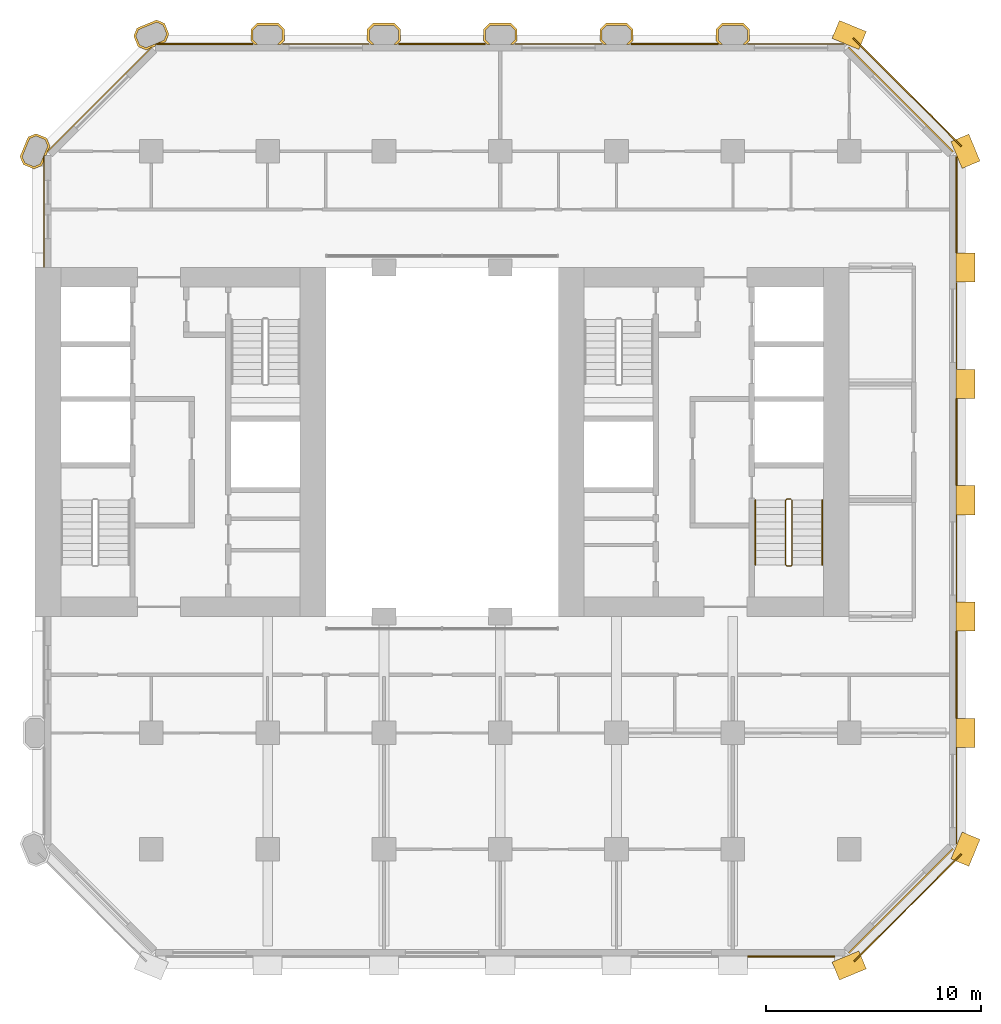
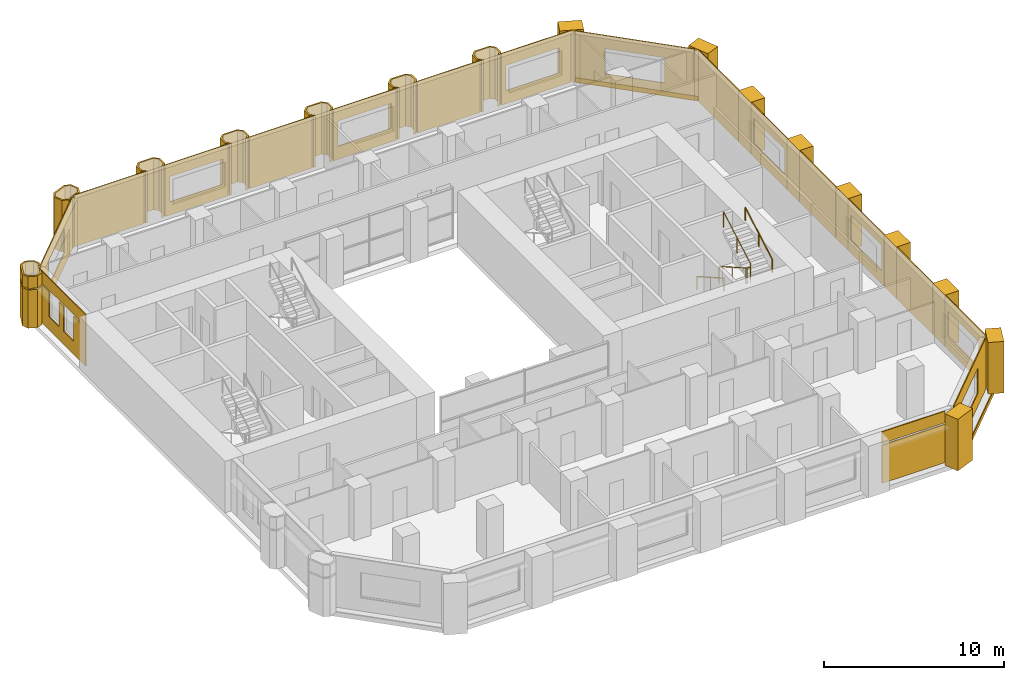
# One storey, part 13 of 13: 37 coverings, 3 railings.
"""IFC4 building model written with IfcOpenShell, lengths in metres."""

from ifc_helpers import new_model, si_unit, direction, frame, frame_2d, origin, origin_2d, place, context, subcontext, project, spatial, polyline, rectangle, circle, outline, extrude, material, layer, layer_set, type_object, element, save


model = new_model("IFC4")

# Units and contexts
model_context = context("Model", 3, precision=1e-05, world=origin(), true_north=direction((0.0, 1.0)))
body_context = subcontext(model_context, "Body", "Model", "MODEL_VIEW")
ifc_project = project(units=[si_unit("LENGTHUNIT", "METRE"), si_unit("AREAUNIT", "SQUARE_METRE"), si_unit("VOLUMEUNIT", "CUBIC_METRE"), si_unit("PLANEANGLEUNIT", "RADIAN"), si_unit("MASSUNIT", "GRAM", prefix="KILO")], contexts=[model_context])

# Site, building, storey
site_placement = place(None, origin())
site = spatial("IfcSite", under=ifc_project, at=site_placement, CompositionType="ELEMENT")
building_placement = place(site_placement, origin())
building = spatial("IfcBuilding", under=site, at=building_placement, Name="Tabaq Tower and Sports Hall", CompositionType="ELEMENT")
storey_placement = place(building_placement, frame((0.0, 0.0, 41.199951171875)))
storey = spatial("IfcBuildingStorey", under=building, at=storey_placement, Name="L08", CompositionType="ELEMENT", Elevation=41.199951171875)

# Coverings
ifc_material_1 = material(Name="Precast concrete C60/75", Category="concrete")
ifc_layer_1 = layer(ifc_material_1, 0.10009765625)
ifc_layer_set_1 = layer_set([ifc_layer_1], Name="Column cladding 100")
covering_type_1 = type_object("IfcCoveringType", Name="Column cladding 100", PredefinedType="CLADDING", material=ifc_layer_set_1)
covering_1_placement = place(storey_placement, origin())
element("IfcCovering", 1, at=covering_1_placement, inside=storey, type_object=covering_type_1, Name="Column cladding L08 PC-2H-O1", PredefinedType="CLADDING", context=body_context, shape_type="SweptSolid", body=[
    extrude(outline(polyline([(4.857421875, 37.186279296875), (4.7041015625, 37.556396484375), (5.080078125, 38.46435546875), (5.450439453125, 38.61767578125), (5.9423828125, 38.413818359375), (6.095947265625, 38.04345703125), (6.026123046875, 37.875), (5.9501953125, 37.799072265625), (5.9814453125, 37.767578125), (5.91796875, 37.614013671875), (5.849609375, 37.614013671875), (5.849609375, 37.55712890625), (5.789794921875, 37.55712890625), (5.789794921875, 37.304443359375), (5.7197265625, 37.1357421875), (5.349609375, 36.982421875), (4.857421875, 37.186279296875)]), holes=[polyline([(5.866455078125, 38.337646484375), (5.450439453125, 38.510009765625), (5.15625, 38.38818359375), (4.811767578125, 37.556396484375), (4.93359375, 37.26220703125), (5.349609375, 37.08984375), (5.643798828125, 37.2119140625), (5.98828125, 38.04345703125), (5.866455078125, 38.337646484375)])]), origin(), (0.0, 0.0, 1.0), 2.60009765625),
])
covering_2_placement = place(storey_placement, frame((0.0, 0.0, 2.699951171875)))
element("IfcCovering", 2, at=covering_2_placement, inside=storey, type_object=covering_type_1, Name="Column cladding L08 PC-2H-O1 2", PredefinedType="CLADDING", context=body_context, shape_type="SweptSolid", body=[
    extrude(outline(polyline([(4.857421875, 37.186279296875), (4.7041015625, 37.556396484375), (5.080078125, 38.46435546875), (5.450439453125, 38.61767578125), (5.9423828125, 38.413818359375), (6.095947265625, 38.04345703125), (6.026123046875, 37.875), (5.9501953125, 37.799072265625), (5.9814453125, 37.767578125), (5.91796875, 37.614013671875), (5.849609375, 37.614013671875), (5.849609375, 37.55712890625), (5.789794921875, 37.55712890625), (5.789794921875, 37.304443359375), (5.7197265625, 37.1357421875), (5.349609375, 36.982421875), (4.857421875, 37.186279296875)]), holes=[polyline([(5.866455078125, 38.337646484375), (5.450439453125, 38.510009765625), (5.15625, 38.38818359375), (4.811767578125, 37.556396484375), (4.93359375, 37.26220703125), (5.349609375, 37.08984375), (5.643798828125, 37.2119140625), (5.98828125, 38.04345703125), (5.866455078125, 38.337646484375)])]), origin(), (0.0, 0.0, 1.0), 0.800048828125),
])
covering_3_placement = place(storey_placement, origin())
element("IfcCovering", 3, at=covering_3_placement, inside=storey, type_object=covering_type_1, Name="Column cladding L08 PC-3I-O1", PredefinedType="CLADDING", context=body_context, shape_type="SweptSolid", body=[
    extrude(outline(polyline([(9.982421875, 43.149658203125), (10.1357421875, 43.519775390625), (11.04345703125, 43.895751953125), (11.413818359375, 43.742431640625), (11.61767578125, 43.25048828125), (11.46435546875, 42.880126953125), (11.295654296875, 42.810302734375), (11.04296875, 42.810302734375), (11.04296875, 42.750244140625), (10.986083984375, 42.750244140625), (10.986083984375, 42.68212890625), (10.83251953125, 42.618408203125), (10.801025390625, 42.64990234375), (10.72509765625, 42.573974609375), (10.556396484375, 42.504150390625), (10.186279296875, 42.657470703125), (9.982421875, 43.149658203125)]), holes=[polyline([(11.510009765625, 43.25048828125), (11.337646484375, 43.66650390625), (11.04345703125, 43.788330078125), (10.2119140625, 43.44384765625), (10.08984375, 43.149658203125), (10.26220703125, 42.733642578125), (10.556396484375, 42.61181640625), (11.38818359375, 42.956298828125), (11.510009765625, 43.25048828125)])]), origin(), (0.0, 0.0, 1.0), 3.5),
])
covering_4_placement = place(storey_placement, origin())
element("IfcCovering", 4, at=covering_4_placement, inside=storey, type_object=covering_type_1, Name="Column cladding L08 PC-4I-O1", PredefinedType="CLADDING", context=body_context, shape_type="SweptSolid", body=[
    extrude(outline(polyline([(15.42529296875, 43.46630859375), (15.708740234375, 43.749755859375), (16.69140625, 43.749755859375), (16.974609375, 43.46630859375), (16.974609375, 42.93359375), (16.791259765625, 42.750244140625), (16.650634765625, 42.750244140625), (16.875244140625, 42.974853515625), (16.875244140625, 43.425048828125), (16.650146484375, 43.650390625), (15.749755859375, 43.650390625), (15.524658203125, 43.425048828125), (15.524658203125, 42.974853515625), (15.749267578125, 42.750244140625), (15.608642578125, 42.750244140625), (15.42529296875, 42.93359375), (15.42529296875, 43.46630859375)])), origin(), (0.0, 0.0, 1.0), 3.5),
])
covering_5_placement = place(storey_placement, origin())
element("IfcCovering", 5, at=covering_5_placement, inside=storey, type_object=covering_type_1, Name="Column cladding L08 PC-5I-O1", PredefinedType="CLADDING", context=body_context, shape_type="SweptSolid", body=[
    extrude(outline(polyline([(20.8251953125, 43.46630859375), (21.108642578125, 43.749755859375), (22.09130859375, 43.749755859375), (22.374755859375, 43.46630859375), (22.374755859375, 42.93359375), (22.19140625, 42.750244140625), (22.05078125, 42.750244140625), (22.275390625, 42.974853515625), (22.275390625, 43.425048828125), (22.050048828125, 43.650390625), (21.14990234375, 43.650390625), (20.9248046875, 43.425048828125), (20.9248046875, 42.974853515625), (21.149169921875, 42.750244140625), (21.0087890625, 42.750244140625), (20.8251953125, 42.93359375), (20.8251953125, 43.46630859375)])), origin(), (0.0, 0.0, 1.0), 3.5),
])
covering_6_placement = place(storey_placement, origin())
element("IfcCovering", 6, at=covering_6_placement, inside=storey, type_object=covering_type_1, Name="Column cladding L08 PC-6I-O1", PredefinedType="CLADDING", context=body_context, shape_type="SweptSolid", body=[
    extrude(outline(polyline([(26.225341796875, 43.46630859375), (26.5087890625, 43.749755859375), (27.4912109375, 43.749755859375), (27.774658203125, 43.46630859375), (27.774658203125, 42.93359375), (27.59130859375, 42.750244140625), (27.45068359375, 42.750244140625), (27.67529296875, 42.974853515625), (27.67529296875, 43.425048828125), (27.4501953125, 43.650390625), (26.5498046875, 43.650390625), (26.32470703125, 43.425048828125), (26.32470703125, 42.974853515625), (26.54931640625, 42.750244140625), (26.40869140625, 42.750244140625), (26.225341796875, 42.93359375), (26.225341796875, 43.46630859375)])), origin(), (0.0, 0.0, 1.0), 3.5),
])
covering_7_placement = place(storey_placement, origin())
element("IfcCovering", 7, at=covering_7_placement, inside=storey, type_object=covering_type_1, Name="Column cladding L08 PC-7I-O1", PredefinedType="CLADDING", context=body_context, shape_type="SweptSolid", body=[
    extrude(outline(polyline([(31.625244140625, 43.46630859375), (31.90869140625, 43.749755859375), (32.891357421875, 43.749755859375), (33.1748046875, 43.46630859375), (33.1748046875, 42.93359375), (32.9912109375, 42.750244140625), (32.850830078125, 42.750244140625), (33.0751953125, 42.974853515625), (33.0751953125, 43.425048828125), (32.85009765625, 43.650390625), (31.949951171875, 43.650390625), (31.724609375, 43.425048828125), (31.724609375, 42.974853515625), (31.94921875, 42.750244140625), (31.80859375, 42.750244140625), (31.625244140625, 42.93359375), (31.625244140625, 43.46630859375)])), origin(), (0.0, 0.0, 1.0), 3.5),
])
covering_8_placement = place(storey_placement, origin())
element("IfcCovering", 8, at=covering_8_placement, inside=storey, type_object=covering_type_1, Name="Column cladding L08 PC-8I-O1", PredefinedType="CLADDING", context=body_context, shape_type="SweptSolid", body=[
    extrude(outline(polyline([(37.025390625, 43.46630859375), (37.30859375, 43.749755859375), (38.291259765625, 43.749755859375), (38.57470703125, 43.46630859375), (38.57470703125, 42.93359375), (38.391357421875, 42.750244140625), (38.250732421875, 42.750244140625), (38.475341796875, 42.974853515625), (38.475341796875, 43.425048828125), (38.250244140625, 43.650390625), (37.349853515625, 43.650390625), (37.124755859375, 43.425048828125), (37.124755859375, 42.974853515625), (37.349365234375, 42.750244140625), (37.208740234375, 42.750244140625), (37.025390625, 42.93359375), (37.025390625, 43.46630859375)])), origin(), (0.0, 0.0, 1.0), 3.5),
])
ifc_material_2 = material(Name="Precast concrete C60/75", Category="concrete")
ifc_layer_2 = layer(ifc_material_2, 0.06005859375)
ifc_layer_set_2 = layer_set([ifc_layer_2], Name="Edge beam cladding 60")
covering_type_2 = type_object("IfcCoveringType", Name="Edge beam cladding 60", PredefinedType="CLADDING", material=ifc_layer_set_2)
covering_9_placement = place(storey_placement, frame((43.432373046875, 0.18994140625, -0.300048828125), z_axis=(0.0, 0.0, 1.0), x_axis=(0.707106781187, 0.707106781187, 0.0)))
element("IfcCovering", 9, at=covering_9_placement, inside=storey, type_object=covering_type_2, Name="Edge beam cladding L08 2", PredefinedType="CLADDING", context=body_context, shape_type="SweptSolid", body=[
    extrude(rectangle(XDim=7.03955078125, YDim=0.06005859375, at=frame_2d((3.519775390625, 0.0))), origin(), (0.0, 0.0, 1.0), 0.300048828125),
])
covering_10_placement = place(storey_placement, frame((48.41015625, 38.0322265625, -0.300048828125), z_axis=(0.0, 0.0, 1.0), x_axis=(-0.707106781187, 0.707106781187, 0.0)))
element("IfcCovering", 10, at=covering_10_placement, inside=storey, type_object=covering_type_2, Name="Edge beam cladding L08 4", PredefinedType="CLADDING", context=body_context, shape_type="SweptSolid", body=[
    extrude(rectangle(XDim=7.08837890625, YDim=0.06005859375, at=frame_2d((3.544189453125, 0.0))), origin(), (0.0, 0.0, 1.0), 0.300048828125),
])
ifc_material_3 = material(Name="White precast concrete C60/75", Category="concrete")
covering_type_3 = type_object("IfcCoveringType", Name="Pier cladding hung 1350x900", PredefinedType="CLADDING", material=ifc_material_3)
for number, where, z_axis, x_axis, name in (
    (11, (42.576416015625, -0.25830078125, 0.0), (0.0, 0.0, 1.0), (0.923893411637, 0.382649923473, 0.0), "Hung pier cladding 8/0"),
    (12, (43.82373046875, 42.941650390625, 0.0), (0.0, 0.0, 1.0), (-0.923893411637, 0.382649923473, 0.0), "Hung pier cladding 8/8"),
    (13, (48.341796875, 4.7763671875, 0.0), (0.0, 0.0, 1.0), (0.382649923473, 0.923893411637, 0.0), "Hung pier cladding 9/1"),
    (14, (48.60009765625, 10.125, 0.0), (0.0, 0.0, 1.0), (0.0, 1.0, 0.0), "Hung pier cladding 9/2"),
    (15, (48.60009765625, 15.52490234375, 0.0), (0.0, 0.0, 1.0), (0.0, 1.0, 0.0), "Hung pier cladding 9/3"),
):
    element("IfcCovering", number, at=place(storey_placement, frame(where, z_axis=z_axis, x_axis=x_axis)), inside=storey, type_object=covering_type_3, Name=name, PredefinedType="CLADDING", context=body_context, shape_type="SweptSolid", body=[
        extrude(rectangle(XDim=1.35009765625, YDim=0.89990234375, at=frame_2d((0.675048828125, 0.0))), origin(), (0.0, 0.0, 1.0), 3.5),
    ])
covering_11_placement = place(storey_placement, frame((48.60009765625, 20.925048828125, 0.0), z_axis=(0.0, 0.0, 1.0), x_axis=(0.0, 1.0, 0.0)))
element("IfcCovering", 16, at=covering_11_placement, inside=storey, type_object=covering_type_3, Name="Hung pier cladding 9/4", PredefinedType="CLADDING", context=body_context, shape_type="SweptSolid", body=[
    extrude(rectangle(XDim=1.349853515625, YDim=0.89990234375, at=frame_2d((0.6748046875, 0.0))), origin(), (0.0, 0.0, 1.0), 3.5),
])
covering_12_placement = place(storey_placement, frame((48.60009765625, 26.324951171875, 0.0), z_axis=(0.0, 0.0, 1.0), x_axis=(0.0, 1.0, 0.0)))
element("IfcCovering", 17, at=covering_12_placement, inside=storey, type_object=covering_type_3, Name="Hung pier cladding 9/5", PredefinedType="CLADDING", context=body_context, shape_type="SweptSolid", body=[
    extrude(rectangle(XDim=1.35009765625, YDim=0.89990234375, at=frame_2d((0.675048828125, 0.0))), origin(), (0.0, 0.0, 1.0), 3.5),
])
covering_13_placement = place(storey_placement, frame((48.60009765625, 31.72509765625, 0.0), z_axis=(0.0, 0.0, 1.0), x_axis=(0.0, 1.0, 0.0)))
element("IfcCovering", 18, at=covering_13_placement, inside=storey, type_object=covering_type_3, Name="Hung pier cladding 9/6", PredefinedType="CLADDING", context=body_context, shape_type="SweptSolid", body=[
    extrude(rectangle(XDim=1.349853515625, YDim=0.89990234375, at=frame_2d((0.6748046875, 0.0))), origin(), (0.0, 0.0, 1.0), 3.5),
])
covering_14_placement = place(storey_placement, frame((48.8583984375, 37.17626953125, 0.0), z_axis=(0.0, 0.0, 1.0), x_axis=(-0.382649923473, 0.923893411637, 0.0)))
element("IfcCovering", 19, at=covering_14_placement, inside=storey, type_object=covering_type_3, Name="Hung pier cladding 9/7", PredefinedType="CLADDING", context=body_context, shape_type="SweptSolid", body=[
    extrude(rectangle(XDim=1.35009765625, YDim=0.89990234375, at=frame_2d((0.675048828125, 0.0))), origin(), (0.0, 0.0, 1.0), 3.5),
])

# Railings
ifc_material_4 = material(Name="Stainless steel", Category="steel")
railing_type_1 = type_object("IfcRailingType", Name="Stair guard", PredefinedType="GUARDRAIL", material=ifc_material_4)
railing_1_placement = place(storey_placement, frame((40.5, 21.64990234375, 0.0)))
element("IfcRailing", 20, at=railing_1_placement, inside=storey, type_object=railing_type_1, Name="L08 ST3 stair guard 1", PredefinedType="GUARDRAIL", context=body_context, shape_type="SweptSolid", body=[
    extrude(circle(Radius=0.02392578125, at=origin_2d()), frame((0.0, 0.0, 1.076171875), z_axis=(-1.0, 0.0, 0.0), x_axis=(0.0, -1.0, 0.0)), (0.0, 0.0, 1.0), 0.199951171875),
    extrude(circle(Radius=0.02392578125, at=origin_2d()), frame((-0.199951171875, 0.0, 1.076171875), z_axis=(-0.246983470365, -0.245778672949, 0.937332389972), x_axis=(0.705375805398, -0.708833529934, 0.0)), (0.0, 0.0, 1.0), 0.20263671875),
    extrude(circle(Radius=0.02392578125, at=origin_2d()), frame((-0.25, -0.0498046875, 1.26611328125), z_axis=(0.0, -0.868751719353, 0.495247867356), x_axis=(1.0, 0.0, 0.0)), (0.0, 0.0, 1.0), 3.453125),
    extrude(circle(Radius=0.02392578125, at=origin_2d()), frame((-0.25, -3.0498046875, 2.97607421875), z_axis=(0.707106781187, -0.707106781187, 0.0), x_axis=(0.707106781187, 0.707106781187, 0.0)), (0.0, 0.0, 1.0), 0.07080078125),
    extrude(circle(Radius=0.02392578125, at=origin_2d()), frame((-0.199951171875, -3.099853515625, 2.97607421875), z_axis=(1.0, 0.0, 0.0), x_axis=(0.0, 1.0, 0.0)), (0.0, 0.0, 1.0), 0.199951171875),
    extrude(circle(Radius=0.02392578125, at=origin_2d()), frame((0.0, -3.099853515625, 2.97607421875), z_axis=(0.246910188598, 0.246910188598, 0.937054276727), x_axis=(-0.707106781187, 0.707106781187, 0.0)), (0.0, 0.0, 1.0), 0.20263671875),
    extrude(circle(Radius=0.02392578125, at=origin_2d()), frame((0.050048828125, -3.0498046875, 3.166015625), z_axis=(0.0, 0.868782136927, 0.495194505781), x_axis=(-1.0, 0.0, 0.0)), (0.0, 0.0, 1.0), 3.453125),
    extrude(circle(Radius=0.02099609375, at=origin_2d()), origin(), (0.0, 0.0, 1.0), 1.052001953125),
    extrude(circle(Radius=0.02099609375, at=origin_2d()), frame((-0.199951171875, 0.0, 0.0)), (0.0, 0.0, 1.0), 1.052001953125),
    extrude(circle(Radius=0.02099609375, at=origin_2d()), frame((-0.25, -0.0498046875, 0.18994140625)), (0.0, 0.0, 1.0), 1.052001953125),
    extrude(circle(Radius=0.02099609375, at=origin_2d()), frame((-0.25, -1.5498046875, 1.044921875)), (0.0, 0.0, 1.0), 1.052001953125),
    extrude(circle(Radius=0.02099609375, at=origin_2d()), frame((-0.25, -3.0498046875, 1.900146484375)), (0.0, 0.0, 1.0), 1.052001953125),
    extrude(circle(Radius=0.02099609375, at=origin_2d()), frame((-0.199951171875, -3.099853515625, 1.900146484375)), (0.0, 0.0, 1.0), 1.052001953125),
    extrude(circle(Radius=0.02099609375, at=origin_2d()), frame((0.0, -3.099853515625, 1.900146484375)), (0.0, 0.0, 1.0), 1.052001953125),
    extrude(circle(Radius=0.02099609375, at=origin_2d()), frame((0.050048828125, -3.0498046875, 2.090087890625)), (0.0, 0.0, 1.0), 1.052001953125),
    extrude(circle(Radius=0.02099609375, at=origin_2d()), frame((0.050048828125, -1.5498046875, 2.945068359375)), (0.0, 0.0, 1.0), 1.052001953125),
    extrude(circle(Radius=0.02099609375, at=origin_2d()), frame((0.050048828125, -0.0498046875, 3.800048828125)), (0.0, 0.0, 1.0), 1.052001953125),
])
ifc_material_5 = material(Name="Stainless steel", Category="steel")
railing_type_2 = type_object("IfcRailingType", Name="Stair handrail", PredefinedType="HANDRAIL", material=ifc_material_5)
railing_2_placement = place(storey_placement, frame((38.85009765625, 21.60009765625, 0.18994140625)))
element("IfcRailing", 21, at=railing_2_placement, inside=storey, type_object=railing_type_2, Name="L08 ST3 stair handrail 1", PredefinedType="HANDRAIL", context=body_context, shape_type="SweptSolid", body=[
    extrude(circle(Radius=0.02392578125, at=origin_2d()), frame((0.0, 0.0, 0.8759765625), z_axis=(0.0, -0.868751719353, 0.495247867356), x_axis=(1.0, 0.0, 0.0)), (0.0, 0.0, 1.0), 3.453125),
    extrude(circle(Radius=0.02099609375, at=origin_2d()), origin(), (0.0, 0.0, 1.0), 0.851806640625),
    extrude(circle(Radius=0.02099609375, at=origin_2d()), frame((0.0, -1.5, 0.85498046875)), (0.0, 0.0, 1.0), 0.851806640625),
    extrude(circle(Radius=0.02099609375, at=origin_2d()), frame((0.0, -3.0, 1.710205078125)), (0.0, 0.0, 1.0), 0.851806640625),
])
railing_3_placement = place(storey_placement, frame((41.949951171875, 18.60009765625, 2.090087890625)))
element("IfcRailing", 22, at=railing_3_placement, inside=storey, type_object=railing_type_2, Name="L08 ST3 stair handrail 2", PredefinedType="HANDRAIL", context=body_context, shape_type="SweptSolid", body=[
    extrude(circle(Radius=0.02392578125, at=origin_2d()), frame((0.0, 0.0, 0.8759765625), z_axis=(0.0, 0.868782136927, 0.495194505781), x_axis=(-1.0, 0.0, 0.0)), (0.0, 0.0, 1.0), 3.453125),
    extrude(circle(Radius=0.02099609375, at=origin_2d()), origin(), (0.0, 0.0, 1.0), 0.851806640625),
    extrude(circle(Radius=0.02099609375, at=origin_2d()), frame((0.0, 1.5, 0.85498046875)), (0.0, 0.0, 1.0), 0.851806640625),
    extrude(circle(Radius=0.02099609375, at=origin_2d()), frame((0.0, 3.0, 1.7099609375)), (0.0, 0.0, 1.0), 0.851806640625),
])

# Coverings
ifc_material_6 = material(Name="Precast concrete C60/75", Category="concrete")
ifc_layer_3 = layer(ifc_material_6, 0.06005859375)
ifc_layer_set_3 = layer_set([ifc_layer_3], Name="White precast cladding panel 60 C60/75")
covering_type_4 = type_object("IfcCoveringType", Name="White precast cladding panel 60 C60/75", PredefinedType="CLADDING", material=ifc_layer_set_3)
covering_15_placement = place(storey_placement, frame((38.485107421875, 0.419921875, 0.0), z_axis=(0.0, 0.0, 1.0), x_axis=(1.0, 0.0, 0.0)))
element("IfcCovering", 23, at=covering_15_placement, inside=storey, type_object=covering_type_4, Name="White precast cladding panel L08 wall00 11", PredefinedType="CLADDING", context=body_context, shape_type="SweptSolid", body=[
    extrude(rectangle(XDim=4.0498046875, YDim=0.06005859375, at=frame_2d((2.02490234375, 0.0))), origin(), (0.0, 0.0, 1.0), 2.590087890625),
])
covering_16_placement = place(storey_placement, frame((38.485107421875, 0.419921875, 2.7099609375), z_axis=(0.0, 0.0, 1.0), x_axis=(1.0, 0.0, 0.0)))
element("IfcCovering", 24, at=covering_16_placement, inside=storey, type_object=covering_type_4, Name="White precast cladding panel L08 wall00 12", PredefinedType="CLADDING", context=body_context, shape_type="SweptSolid", body=[
    extrude(rectangle(XDim=4.0498046875, YDim=0.06005859375, at=frame_2d((2.02490234375, 0.0))), origin(), (0.0, 0.0, 1.0), 0.7900390625),
])
covering_17_placement = place(storey_placement, frame((43.177734375, 0.57177734375, 0.0), z_axis=(0.0, 0.0, 1.0), x_axis=(0.707106781187, 0.707106781187, 0.0)))
element("IfcCovering", 25, at=covering_17_placement, inside=storey, type_object=covering_type_4, Name="White precast cladding panel L08 wall01", PredefinedType="CLADDING", context=body_context, shape_type="SweptSolid", body=[
    extrude(outline(polyline([(0.0, 0.0), (6.85986328125, 0.0), (6.85986328125, 3.5), (0.0, 3.5), (0.0, 0.0)]), holes=[polyline([(1.7197265625, 0.89013671875), (1.7197265625, 2.610107421875), (5.139892578125, 2.610107421875), (5.139892578125, 0.89013671875), (1.7197265625, 0.89013671875)])]), frame((0.0, 0.030029296875, 0.0), z_axis=(0.0, -1.0, 0.0), x_axis=(1.0, 0.0, 0.0)), (0.0, 0.0, 1.0), 0.06005859375),
])
covering_18_placement = place(storey_placement, frame((48.179931640625, 5.64306640625, 0.0), z_axis=(0.0, 0.0, 1.0), x_axis=(0.0, 1.0, 0.0)))
element("IfcCovering", 26, at=covering_18_placement, inside=storey, type_object=covering_type_4, Name="White precast cladding panel L08 wall02", PredefinedType="CLADDING", context=body_context, shape_type="SweptSolid", body=[
    extrude(outline(polyline([(0.0, 0.0), (4.471923828125, 0.0), (4.471923828125, 3.5), (0.0, 3.5), (0.0, 0.0)]), holes=[polyline([(0.746826171875, 0.89013671875), (0.746826171875, 2.610107421875), (4.166748046875, 2.610107421875), (4.166748046875, 0.89013671875), (0.746826171875, 0.89013671875)])]), frame((0.0, 0.030029296875, 0.0), z_axis=(0.0, -1.0, 0.0), x_axis=(1.0, 0.0, 0.0)), (0.0, 0.0, 1.0), 0.06005859375),
])
covering_19_placement = place(storey_placement, frame((48.179931640625, 11.485107421875, 0.0), z_axis=(0.0, 0.0, 1.0), x_axis=(0.0, 1.0, 0.0)))
element("IfcCovering", 27, at=covering_19_placement, inside=storey, type_object=covering_type_4, Name="White precast cladding panel L08 wall02 2", PredefinedType="CLADDING", context=body_context, shape_type="SweptSolid", body=[
    extrude(rectangle(XDim=4.02978515625, YDim=0.06005859375, at=frame_2d((2.014892578125, 0.0))), origin(), (0.0, 0.0, 1.0), 3.5),
])
covering_20_placement = place(storey_placement, frame((48.179931640625, 16.885009765625, 0.0), z_axis=(0.0, 0.0, 1.0), x_axis=(0.0, 1.0, 0.0)))
element("IfcCovering", 28, at=covering_20_placement, inside=storey, type_object=covering_type_4, Name="White precast cladding panel L08 wall02 3", PredefinedType="CLADDING", context=body_context, shape_type="SweptSolid", body=[
    extrude(outline(polyline([(0.0, 0.0), (4.030029296875, 0.0), (4.030029296875, 3.5), (0.0, 3.5), (0.0, 0.0)]), holes=[polyline([(0.304931640625, 0.89013671875), (0.304931640625, 2.610107421875), (3.72509765625, 2.610107421875), (3.72509765625, 0.89013671875), (0.304931640625, 0.89013671875)])]), frame((0.0, 0.030029296875, 0.0), z_axis=(0.0, -1.0, 0.0), x_axis=(1.0, 0.0, 0.0)), (0.0, 0.0, 1.0), 0.06005859375),
])
covering_21_placement = place(storey_placement, frame((48.179931640625, 22.284912109375, 0.0), z_axis=(0.0, 0.0, 1.0), x_axis=(0.0, 1.0, 0.0)))
element("IfcCovering", 29, at=covering_21_placement, inside=storey, type_object=covering_type_4, Name="White precast cladding panel L08 wall02 4", PredefinedType="CLADDING", context=body_context, shape_type="SweptSolid", body=[
    extrude(rectangle(XDim=4.030029296875, YDim=0.06005859375, at=frame_2d((2.01513671875, 0.0))), origin(), (0.0, 0.0, 1.0), 3.5),
])
covering_22_placement = place(storey_placement, frame((48.179931640625, 27.68505859375, 0.0), z_axis=(0.0, 0.0, 1.0), x_axis=(0.0, 1.0, 0.0)))
element("IfcCovering", 30, at=covering_22_placement, inside=storey, type_object=covering_type_4, Name="White precast cladding panel L08 wall02 5", PredefinedType="CLADDING", context=body_context, shape_type="SweptSolid", body=[
    extrude(outline(polyline([(0.0, 0.0), (4.030029296875, 0.0), (4.030029296875, 3.5), (0.0, 3.5), (0.0, 0.0)]), holes=[polyline([(0.304931640625, 0.89013671875), (0.304931640625, 2.610107421875), (3.72509765625, 2.610107421875), (3.72509765625, 0.89013671875), (0.304931640625, 0.89013671875)])]), frame((0.0, 0.030029296875, 0.0), z_axis=(0.0, -1.0, 0.0), x_axis=(1.0, 0.0, 0.0)), (0.0, 0.0, 1.0), 0.06005859375),
])
covering_23_placement = place(storey_placement, frame((48.179931640625, 33.0849609375, 0.0), z_axis=(0.0, 0.0, 1.0), x_axis=(0.0, 1.0, 0.0)))
element("IfcCovering", 31, at=covering_23_placement, inside=storey, type_object=covering_type_4, Name="White precast cladding panel L08 wall02 6", PredefinedType="CLADDING", context=body_context, shape_type="SweptSolid", body=[
    extrude(rectangle(XDim=4.471923828125, YDim=0.06005859375, at=frame_2d((2.23583984375, 0.0))), origin(), (0.0, 0.0, 1.0), 3.5),
])
covering_24_placement = place(storey_placement, frame((48.0283203125, 37.77783203125, 0.0), z_axis=(0.0, 0.0, 1.0), x_axis=(-0.707124576528, 0.707088985397, 0.0)))
element("IfcCovering", 32, at=covering_24_placement, inside=storey, type_object=covering_type_4, Name="White precast cladding panel L08 wall03", PredefinedType="CLADDING", context=body_context, shape_type="SweptSolid", body=[
    extrude(outline(polyline([(0.0, 0.0), (6.859619140625, 0.0), (6.859619140625, 3.5), (0.0, 3.5), (0.0, 0.0)]), holes=[polyline([(1.7197265625, 0.89013671875), (1.7197265625, 2.610107421875), (5.139892578125, 2.610107421875), (5.139892578125, 0.89013671875), (1.7197265625, 0.89013671875)])]), frame((0.0, 0.030029296875, 0.0), z_axis=(0.0, -1.0, 0.0), x_axis=(1.0, 0.0, 0.0)), (0.0, 0.0, 1.0), 0.06005859375),
])
covering_25_placement = place(storey_placement, frame((42.956787109375, 42.780029296875, 0.0), z_axis=(0.0, 0.0, 1.0), x_axis=(-1.0, 0.0, 0.0)))
element("IfcCovering", 33, at=covering_25_placement, inside=storey, type_object=covering_type_4, Name="White precast cladding panel L08 wall04", PredefinedType="CLADDING", context=body_context, shape_type="SweptSolid", body=[
    extrude(outline(polyline([(0.0, 0.0), (4.4716796875, 0.0), (4.4716796875, 3.5), (0.0, 3.5), (0.0, 0.0)]), holes=[polyline([(0.746826171875, 0.89013671875), (0.746826171875, 2.610107421875), (4.166748046875, 2.610107421875), (4.166748046875, 0.89013671875), (0.746826171875, 0.89013671875)])]), frame((0.0, 0.030029296875, 0.0), z_axis=(0.0, -1.0, 0.0), x_axis=(1.0, 0.0, 0.0)), (0.0, 0.0, 1.0), 0.06005859375),
])
covering_26_placement = place(storey_placement, frame((37.114990234375, 42.780029296875, 0.0), z_axis=(0.0, 0.0, 1.0), x_axis=(-1.0, 0.0, 0.0)))
element("IfcCovering", 34, at=covering_26_placement, inside=storey, type_object=covering_type_4, Name="White precast cladding panel L08 wall04 2", PredefinedType="CLADDING", context=body_context, shape_type="SweptSolid", body=[
    extrude(rectangle(XDim=4.030029296875, YDim=0.06005859375, at=frame_2d((2.01513671875, 0.0))), origin(), (0.0, 0.0, 1.0), 3.5),
])
covering_27_placement = place(storey_placement, frame((31.715087890625, 42.780029296875, 0.0), z_axis=(0.0, 0.0, 1.0), x_axis=(-1.0, 0.0, 0.0)))
element("IfcCovering", 35, at=covering_27_placement, inside=storey, type_object=covering_type_4, Name="White precast cladding panel L08 wall04 3", PredefinedType="CLADDING", context=body_context, shape_type="SweptSolid", body=[
    extrude(outline(polyline([(0.0, 0.0), (4.030029296875, 0.0), (4.030029296875, 3.5), (0.0, 3.5), (0.0, 0.0)]), holes=[polyline([(0.304931640625, 0.89013671875), (0.304931640625, 2.610107421875), (3.72509765625, 2.610107421875), (3.72509765625, 0.89013671875), (0.304931640625, 0.89013671875)])]), frame((0.0, 0.030029296875, 0.0), z_axis=(0.0, -1.0, 0.0), x_axis=(1.0, 0.0, 0.0)), (0.0, 0.0, 1.0), 0.06005859375),
])
covering_28_placement = place(storey_placement, frame((26.31494140625, 42.780029296875, 0.0), z_axis=(0.0, 0.0, 1.0), x_axis=(-1.0, 0.0, 0.0)))
element("IfcCovering", 36, at=covering_28_placement, inside=storey, type_object=covering_type_4, Name="White precast cladding panel L08 wall04 4", PredefinedType="CLADDING", context=body_context, shape_type="SweptSolid", body=[
    extrude(rectangle(XDim=4.030029296875, YDim=0.06005859375, at=frame_2d((2.01513671875, 0.0))), origin(), (0.0, 0.0, 1.0), 3.5),
])
covering_29_placement = place(storey_placement, frame((20.9150390625, 42.780029296875, 0.0), z_axis=(0.0, 0.0, 1.0), x_axis=(-1.0, 0.0, 0.0)))
element("IfcCovering", 37, at=covering_29_placement, inside=storey, type_object=covering_type_4, Name="White precast cladding panel L08 wall04 5", PredefinedType="CLADDING", context=body_context, shape_type="SweptSolid", body=[
    extrude(outline(polyline([(0.0, 0.0), (4.030029296875, 0.0), (4.030029296875, 3.5), (0.0, 3.5), (0.0, 0.0)]), holes=[polyline([(0.304931640625, 0.89013671875), (0.304931640625, 2.610107421875), (3.72509765625, 2.610107421875), (3.72509765625, 0.89013671875), (0.304931640625, 0.89013671875)])]), frame((0.0, 0.030029296875, 0.0), z_axis=(0.0, -1.0, 0.0), x_axis=(1.0, 0.0, 0.0)), (0.0, 0.0, 1.0), 0.06005859375),
])
covering_30_placement = place(storey_placement, frame((15.514892578125, 42.780029296875, 0.0), z_axis=(0.0, 0.0, 1.0), x_axis=(-1.0, 0.0, 0.0)))
element("IfcCovering", 38, at=covering_30_placement, inside=storey, type_object=covering_type_4, Name="White precast cladding panel L08 wall04 6", PredefinedType="CLADDING", context=body_context, shape_type="SweptSolid", body=[
    extrude(rectangle(XDim=4.4716796875, YDim=0.06005859375, at=frame_2d((2.23583984375, 0.0))), origin(), (0.0, 0.0, 1.0), 3.5),
])
covering_31_placement = place(storey_placement, frame((10.822265625, 42.628173828125, 0.0), z_axis=(0.0, 0.0, 1.0), x_axis=(-0.707124576528, -0.707088985397, 0.0)))
element("IfcCovering", 39, at=covering_31_placement, inside=storey, type_object=covering_type_4, Name="White precast cladding panel L08 wall05", PredefinedType="CLADDING", context=body_context, shape_type="SweptSolid", body=[
    extrude(outline(polyline([(0.0, 0.0), (6.859619140625, 0.0), (6.859619140625, 3.5), (0.0, 3.5), (0.0, 0.0)]), holes=[polyline([(1.7197265625, 0.89013671875), (1.7197265625, 2.610107421875), (5.139892578125, 2.610107421875), (5.139892578125, 0.89013671875), (1.7197265625, 0.89013671875)])]), frame((0.0, 0.030029296875, 0.0), z_axis=(0.0, -1.0, 0.0), x_axis=(1.0, 0.0, 0.0)), (0.0, 0.0, 1.0), 0.06005859375),
])
covering_32_placement = place(storey_placement, frame((5.820068359375, 37.556884765625, 0.0), z_axis=(0.0, 0.0, 1.0), x_axis=(0.0, -1.0, 0.0)))
element("IfcCovering", 40, at=covering_32_placement, inside=storey, type_object=covering_type_4, Name="White precast cladding panel L08 wall06", PredefinedType="CLADDING", context=body_context, shape_type="SweptSolid", body=[
    extrude(outline(polyline([(0.0, 0.0), (5.156982421875, 0.0), (5.156982421875, 3.5), (0.0, 3.5), (0.0, 0.0)]), holes=[polyline([(1.096923828125, 2.590087890625), (0.421875, 2.590087890625), (0.421875, 2.7099609375), (4.491943359375, 2.7099609375), (4.491943359375, 2.590087890625), (3.81689453125, 2.590087890625), (3.81689453125, 0.89013671875), (2.69677734375, 0.89013671875), (2.69677734375, 2.590087890625), (2.216796875, 2.590087890625), (2.216796875, 0.89013671875), (1.096923828125, 0.89013671875), (1.096923828125, 2.590087890625)])]), frame((0.0, 0.030029296875, 0.0), z_axis=(0.0, -1.0, 0.0), x_axis=(1.0, 0.0, 0.0)), (0.0, 0.0, 1.0), 0.06005859375),
])

save(model, "model.ifc")
